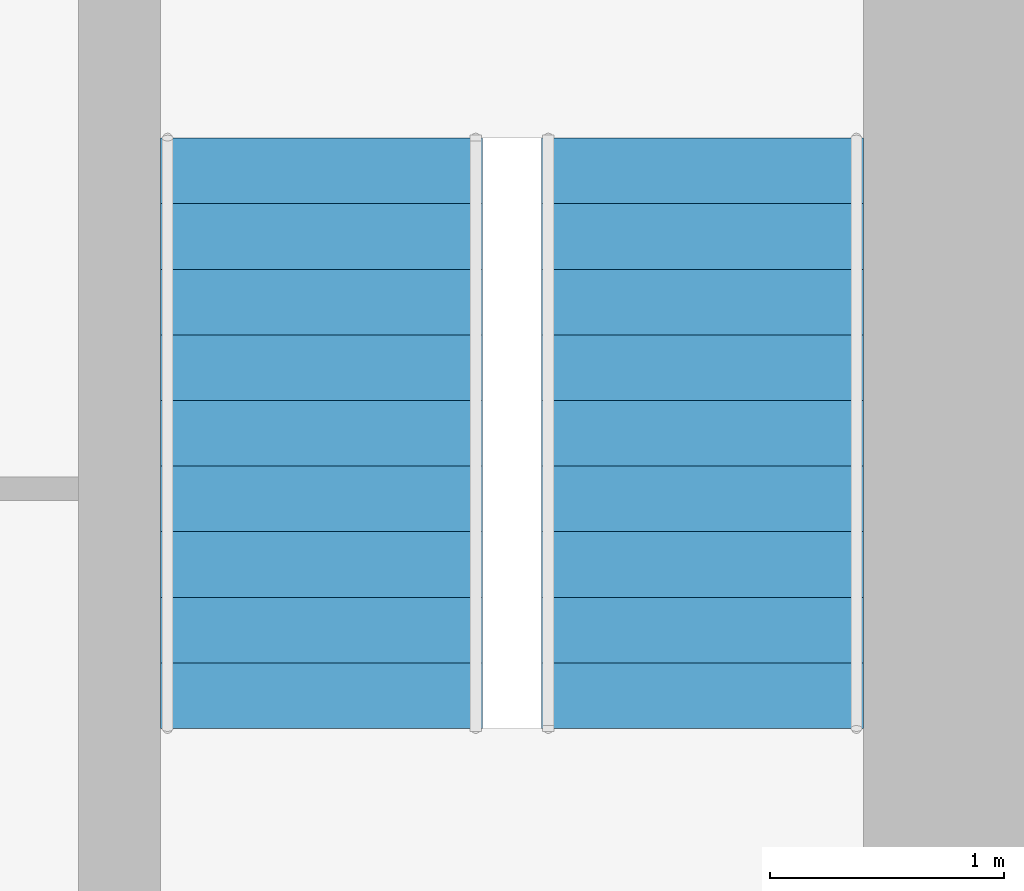
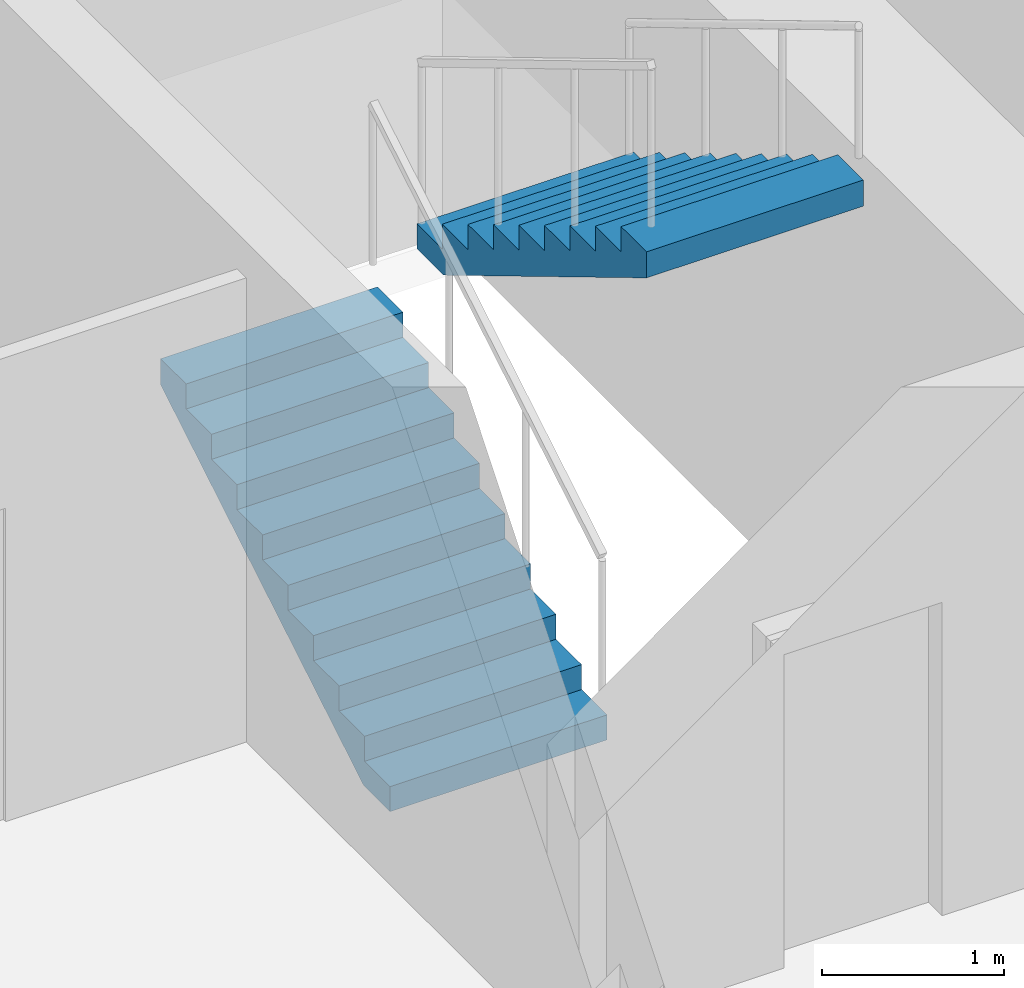
# One storey, part 24 of 25: 2 stair flights, 1 element without a shape of its own.
"""IFC4 building model written with IfcOpenShell, lengths in metres."""

from ifc_helpers import new_model, si_unit, direction, frame, origin, place, context, subcontext, project, spatial, polyline, outline, extrude, material, type_object, element, aggregate, save


model = new_model("IFC4")

# Units and contexts
model_context = context("Model", 3, precision=1e-05, world=origin(), true_north=direction((0.0, 1.0)))
body_context = subcontext(model_context, "Body", "Model", "MODEL_VIEW")
ifc_project = project(units=[si_unit("LENGTHUNIT", "METRE"), si_unit("AREAUNIT", "SQUARE_METRE"), si_unit("VOLUMEUNIT", "CUBIC_METRE"), si_unit("PLANEANGLEUNIT", "RADIAN"), si_unit("MASSUNIT", "GRAM", prefix="KILO")], contexts=[model_context])

# Site, building, storey
site_placement = place(None, origin())
site = spatial("IfcSite", under=ifc_project, at=site_placement, CompositionType="ELEMENT")
building_placement = place(site_placement, origin())
building = spatial("IfcBuilding", under=site, at=building_placement, Name="Jalousie Tower", CompositionType="ELEMENT")
storey_placement = place(building_placement, frame((0.0, 0.0, 98.14990234375)))
storey = spatial("IfcBuildingStorey", under=building, at=storey_placement, Name="L26", CompositionType="ELEMENT", Elevation=98.14990234375)

# Stair, stair flights
ifc_material_1 = material(Name="Concrete f'c 40 MPa", Category="concrete")
stair_type = type_object("IfcStairType", Name="EXIT STAIR", PredefinedType="HALF_TURN_STAIR", material=ifc_material_1)
stair_placement = place(storey_placement, origin())
stair = element("IfcStair", 1, at=stair_placement, inside=storey, type_object=stair_type, Name="Exit stair B L26", PredefinedType="HALF_TURN_STAIR")
ifc_material_2 = material(Name="Concrete f'c 40 MPa", Category="concrete")
stair_flight_type = type_object("IfcStairFlightType", Name="STAIR FLIGHT", PredefinedType="STRAIGHT", material=ifc_material_2)
stair_flight_1_placement = place(storey_placement, frame((41.0625, 21.50244140625, 0.0), z_axis=(0.0, 0.0, 1.0), x_axis=(0.0, 1.0, 0.0)))
stair_flight_1 = element("IfcStairFlight", 2, at=stair_flight_1_placement, type_object=stair_flight_type, Name="ST-B flight 1", NumberOfRisers=10, NumberOfTreads=9, PredefinedType="STRAIGHT", RiserHeight=0.1675, TreadLength=0.28, context=body_context, shape_type="SweptSolid", body=[
    extrude(outline(polyline([(0.0, 0.0), (0.0, 0.16748046875), (0.280029296875, 0.16748046875), (0.280029296875, 0.3349609375), (0.56005859375, 0.3349609375), (0.56005859375, 0.50244140625), (0.840087890625, 0.50244140625), (0.840087890625, 0.669921875), (1.1201171875, 0.669921875), (1.1201171875, 0.83740234375), (1.39990234375, 0.83740234375), (1.39990234375, 1.0048828125), (1.679931640625, 1.0048828125), (1.679931640625, 1.172607421875), (1.9599609375, 1.172607421875), (1.9599609375, 1.340087890625), (2.239990234375, 1.340087890625), (2.239990234375, 1.507568359375), (2.52001953125, 1.507568359375), (2.52001953125, 1.675048828125), (2.52001953125, 1.332763671875), (0.2919921875, 0.0), (0.0, 0.0)])), frame((0.0, 0.6875, 0.0), z_axis=(0.0, -1.0, 0.0), x_axis=(1.0, 0.0, 0.0)), (0.0, 0.0, 1.0), 1.375),
])
stair_flight_2_placement = place(storey_placement, frame((42.6875, 24.0224609375, 1.675048828125), z_axis=(0.0, 0.0, 1.0), x_axis=(0.0, -1.0, 0.0)))
stair_flight_2 = element("IfcStairFlight", 3, at=stair_flight_2_placement, type_object=stair_flight_type, Name="ST-B flight 2", NumberOfRisers=10, NumberOfTreads=9, PredefinedType="STRAIGHT", RiserHeight=0.1675, TreadLength=0.28, context=body_context, shape_type="SweptSolid", body=[
    extrude(outline(polyline([(0.0, 0.0), (0.0, 0.16748046875), (0.280029296875, 0.16748046875), (0.280029296875, 0.3349609375), (0.56005859375, 0.3349609375), (0.56005859375, 0.50244140625), (0.840087890625, 0.50244140625), (0.840087890625, 0.669921875), (1.1201171875, 0.669921875), (1.1201171875, 0.83740234375), (1.39990234375, 0.83740234375), (1.39990234375, 1.0048828125), (1.679931640625, 1.0048828125), (1.679931640625, 1.172607421875), (1.9599609375, 1.172607421875), (1.9599609375, 1.340087890625), (2.239990234375, 1.340087890625), (2.239990234375, 1.507568359375), (2.52001953125, 1.507568359375), (2.52001953125, 1.675048828125), (2.52001953125, 1.332763671875), (0.2919921875, 0.0), (0.0, 0.0)])), frame((0.0, 0.6875, 0.0), z_axis=(0.0, -1.0, 0.0), x_axis=(1.0, 0.0, 0.0)), (0.0, 0.0, 1.0), 1.375),
])
aggregate(stair, [stair_flight_1, stair_flight_2])

save(model, "model.ifc")
